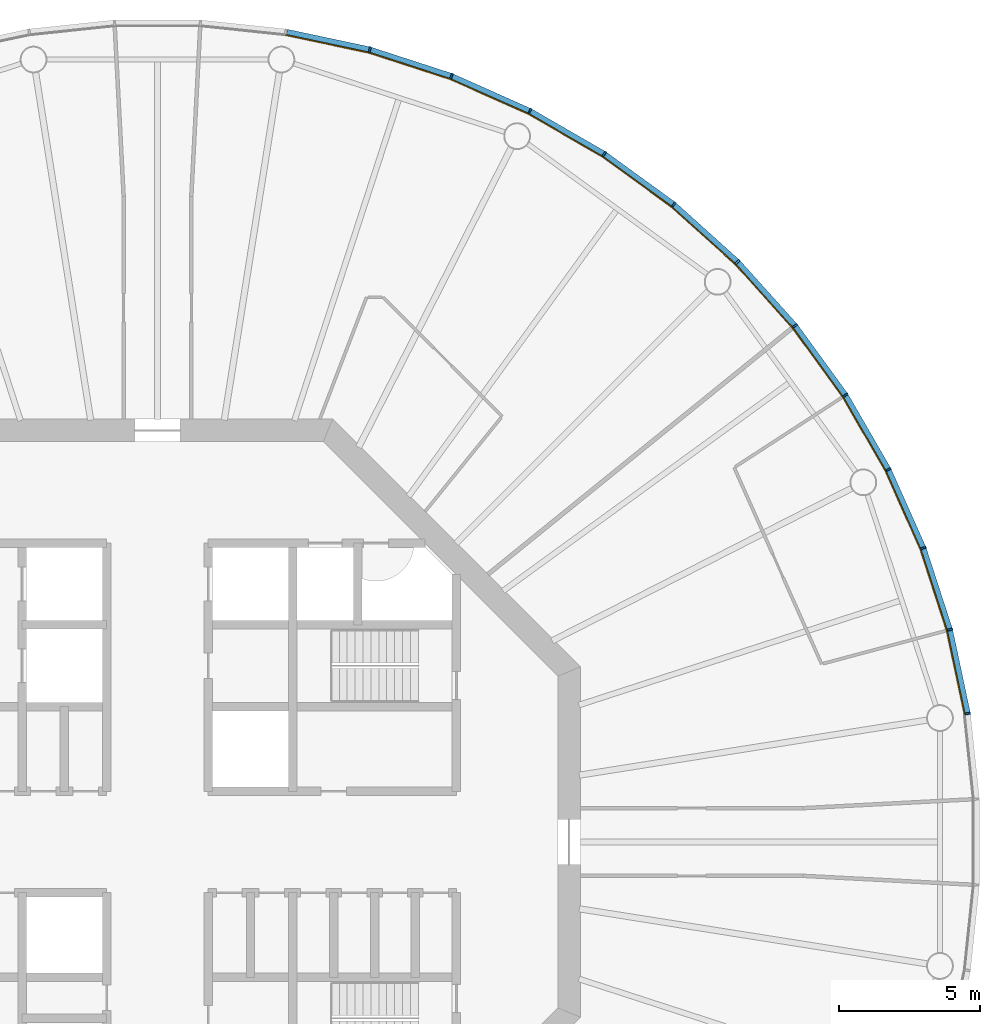
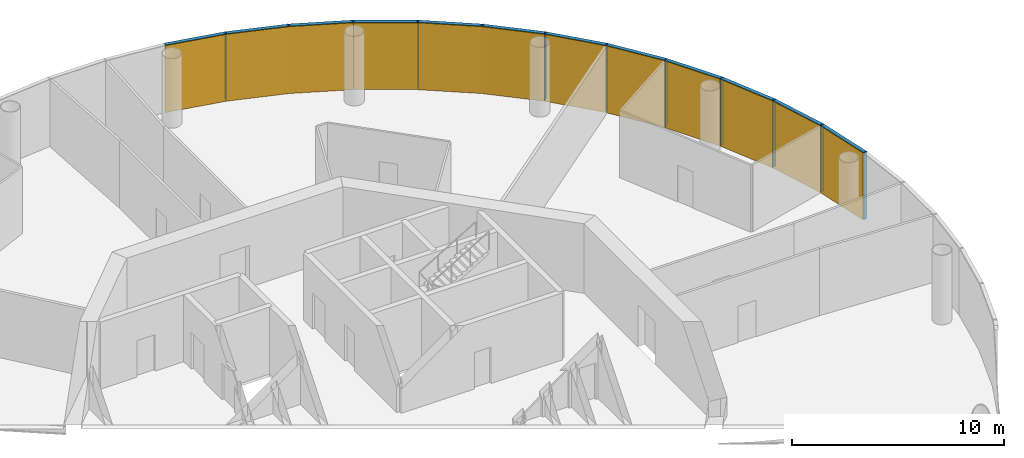
# One storey, part 12 of 13: 24 members, 4 curtain walls.
"""IFC4 building model written with IfcOpenShell, lengths in metres."""

import ifcopenshell
import ifcopenshell.guid

model = None  # the IFC model being written
_history = None  # IfcOwnerHistory: only IFC2X3 demands one
_inside = {}  # id of a spatial element -> (the spatial element, [elements in it])
_under = {}  # id of a project, library or spatial element -> (it, [spatial elements below it])
_declared = {}  # id of a project -> (the project, [libraries it declares])
_typed = {}  # id of a type object -> (the type object, [elements of that type])
_made_of = {}  # id of a material, layer set ... -> (it, [elements and type objects made of it])


def new_model(schema):
    """Start an empty IFC model of exactly this schema.

    Asked for "IFC4X3", IfcOpenShell would pick the latest addendum, in which some entities
    have other attributes; the version numbers below select the first issue.
    IFC2X3 requires an IfcOwnerHistory on every rooted entity: one is made here for all.
    """
    global model, _history
    if schema == "IFC4X3":
        model = ifcopenshell.file(schema_version=(4, 3, 0, 0))
    else:
        model = ifcopenshell.file(schema=schema)
    _inside.clear()
    _under.clear()
    _declared.clear()
    _typed.clear()
    _made_of.clear()
    _history = None
    if model.schema == "IFC2X3":
        org = make("IfcOrganization", Name="unknown")
        user = make(
            "IfcPersonAndOrganization",
            ThePerson=make("IfcPerson", FamilyName="unknown"),
            TheOrganization=org,
        )
        app = make(
            "IfcApplication",
            ApplicationDeveloper=org,
            Version="unknown",
            ApplicationFullName="unknown",
            ApplicationIdentifier="unknown",
        )
        _history = make(
            "IfcOwnerHistory",
            OwningUser=user,
            OwningApplication=app,
            ChangeAction="ADDED",
            CreationDate=0,
        )
    return model


def make(cls, **values):
    """One entity of the class cls with the attributes given. An attribute that is None is left unset."""
    return model.create_entity(
        cls, **{name: value for name, value in values.items() if value is not None}
    )


def rooted(cls, **values):
    """An entity with a GlobalId (a new one), such as an element, a storey or a relation."""
    return make(cls, GlobalId=ifcopenshell.guid.new(), OwnerHistory=_history, **values)


def si_unit(unit_type, name, prefix=None):
    """IfcSIUnit, for example si_unit("LENGTHUNIT", "METRE", prefix="MILLI")."""
    return make("IfcSIUnit", UnitType=unit_type, Prefix=prefix, Name=name)


def assignment(units):
    """IfcUnitAssignment: the units of a project."""
    return None if units is None else make("IfcUnitAssignment", Units=units)


def point(xyz):
    """IfcCartesianPoint."""
    return None if xyz is None else make("IfcCartesianPoint", Coordinates=xyz)


def direction(xyz):
    """IfcDirection."""
    return None if xyz is None else make("IfcDirection", DirectionRatios=xyz)


def frame(location, z_axis=None, x_axis=None):
    """IfcAxis2Placement3D, a coordinate frame: its origin and axes. An axis left out is left unset."""
    return make(
        "IfcAxis2Placement3D",
        Location=point(location),
        Axis=direction(z_axis),
        RefDirection=direction(x_axis),
    )


def frame_2d(location, x_axis=None):
    """IfcAxis2Placement2D, a coordinate frame in the plane: its origin and x axis."""
    return make(
        "IfcAxis2Placement2D", Location=point(location), RefDirection=direction(x_axis)
    )


def origin():
    """The frame at (0, 0, 0) with its axes left unset."""
    return frame((0.0, 0.0, 0.0))


def origin_2d():
    """The frame at (0, 0) in the plane with its x axis left unset."""
    return frame_2d((0.0, 0.0))


def place(relative_to, where):
    """IfcLocalPlacement: puts the frame where relative to a parent placement (None: the world)."""
    return make(
        "IfcLocalPlacement", PlacementRelTo=relative_to, RelativePlacement=where
    )


def context(
    kind, dimensions, precision=None, world=None, true_north=None, identifier=None
):
    """IfcGeometricRepresentationContext, for example the 3D "Model" context."""
    return make(
        "IfcGeometricRepresentationContext",
        ContextIdentifier=identifier,
        ContextType=kind,
        CoordinateSpaceDimension=dimensions,
        Precision=precision,
        WorldCoordinateSystem=world,
        TrueNorth=true_north,
    )


def subcontext(parent, identifier, kind, view, scale=None):
    """IfcGeometricRepresentationSubContext, for example "Body" below "Model"."""
    return make(
        "IfcGeometricRepresentationSubContext",
        ContextIdentifier=identifier,
        ContextType=kind,
        ParentContext=parent,
        TargetScale=scale,
        TargetView=view,
    )


def project(units=None, contexts=None):
    """IfcProject with its units and contexts."""
    return rooted(
        "IfcProject",
        Name="project",
        RepresentationContexts=contexts,
        UnitsInContext=assignment(units),
    )


def spatial(cls, under=None, at=None, **own):
    """A site, building, storey or space (cls), placed at a placement, below another one or the project."""
    s = rooted(cls, ObjectPlacement=at, **own)
    if under is not None:
        _under.setdefault(under.id(), (under, []))[1].append(s)
    return s


def polyline(points):
    """IfcPolyline through the points."""
    return make("IfcPolyline", Points=[point(p) for p in points])


def profile(cls, at=None, kind="AREA", **sizes):
    """A parametric profile (cls). Its sizes go by their IFC names, for example OverallWidth=200.0."""
    return make(cls, ProfileType=kind, Position=at, **sizes)


def rectangle(**sizes):
    """IfcRectangleProfileDef."""
    return profile("IfcRectangleProfileDef", **sizes)


def outline(outer, holes=None, kind="AREA"):
    """IfcArbitraryClosedProfileDef: a profile drawn as a closed curve; with holes, ...WithVoids."""
    if holes is None:
        return make("IfcArbitraryClosedProfileDef", ProfileType=kind, OuterCurve=outer)
    return make(
        "IfcArbitraryProfileDefWithVoids",
        ProfileType=kind,
        OuterCurve=outer,
        InnerCurves=holes,
    )


def extrude(swept, where, along, depth):
    """IfcExtrudedAreaSolid: the profile swept, set in the frame where, extruded along a direction by depth."""
    return make(
        "IfcExtrudedAreaSolid",
        SweptArea=swept,
        Position=where,
        ExtrudedDirection=direction(along),
        Depth=depth,
    )


def shape(context_of_items, identifier, shape_type, items):
    """IfcShapeRepresentation: the items that make up one representation, for example the "Body"."""
    return make(
        "IfcShapeRepresentation",
        ContextOfItems=context_of_items,
        RepresentationIdentifier=identifier,
        RepresentationType=shape_type,
        Items=items,
    )


def material(Name=None, Category=None):
    """IfcMaterial."""
    return make("IfcMaterial", Name=Name, Category=Category)


def layer(
    of_material, thickness, ventilated=None, Name=None, Category=None, Priority=None
):
    """IfcMaterialLayer: one layer of a wall or slab, of a material (None: an air gap)."""
    return make(
        "IfcMaterialLayer",
        Material=of_material,
        LayerThickness=thickness,
        IsVentilated=ventilated,
        Name=Name,
        Category=Category,
        Priority=Priority,
    )


def layer_set(layers, Name=None):
    """IfcMaterialLayerSet."""
    return make("IfcMaterialLayerSet", MaterialLayers=layers, LayerSetName=Name)


def material_profile(
    of_material, cross_section, Name=None, Category=None, Priority=None
):
    """IfcMaterialProfile: a cross section and its material."""
    return make(
        "IfcMaterialProfile",
        Name=Name,
        Material=of_material,
        Profile=cross_section,
        Priority=Priority,
        Category=Category,
    )


def profile_set(profiles, Name=None, composite=None):
    """IfcMaterialProfileSet."""
    return make(
        "IfcMaterialProfileSet",
        Name=Name,
        MaterialProfiles=profiles,
        CompositeProfile=composite,
    )


def made_of(thing, what):
    """Note that an element or type object is made of a material, layer set ...; save() writes the relation."""
    if what is not None:
        _made_of.setdefault(what.id(), (what, []))[1].append(thing)
    return thing


def type_object(cls, material=None, **own):
    """A type object (cls), such as IfcWallType, which elements share."""
    return made_of(rooted(cls, **own), material)


def element(
    cls,
    number,
    at=None,
    inside=None,
    cuts=None,
    type_object=None,
    material=None,
    context=None,
    identifier="Body",
    shape_type=None,
    held_by="IfcProductDefinitionShape",
    body=None,
    shapes=None,
    **own,
):
    """One element of the class cls, such as IfcWall. Its Tag is "e" and its number.

    at: its placement. inside: the storey or other place that contains it. cuts: it is an
    opening in that element (IfcRelVoidsElement). A single representation is given by context,
    identifier, shape_type and body (its items); several are given by shapes. held_by: the class
    of the entity that holds the representations. save() writes the other relations.
    """
    e = rooted(cls, Tag="e%d" % number, ObjectPlacement=at, **own)
    if body is not None:
        shapes = [shape(context, identifier, shape_type, body)]
    if shapes is not None:
        e.Representation = make(held_by, Representations=shapes)
    if inside is not None:
        _inside.setdefault(inside.id(), (inside, []))[1].append(e)
    if cuts is not None:
        rooted(
            "IfcRelVoidsElement", RelatingBuildingElement=cuts, RelatedOpeningElement=e
        )
    if type_object is not None:
        _typed.setdefault(type_object.id(), (type_object, []))[1].append(e)
    return made_of(e, material)


def aggregate(whole, parts):
    """IfcRelAggregates: a whole, such as a stair, and the parts it consists of."""
    return rooted("IfcRelAggregates", RelatingObject=whole, RelatedObjects=parts)


def save(model, path):
    """Write the relations noted so far, then the file.

    IfcRelAggregates (storeys below a building ...), IfcRelContainedInSpatialStructure (elements
    in a storey), IfcRelDefinesByType, IfcRelAssociatesMaterial and IfcRelDeclares: one each for
    every whole, place, type object, material and project.
    """
    for whole, parts in _under.values():
        aggregate(whole, parts)
    for where, things in _inside.values():
        rooted(
            "IfcRelContainedInSpatialStructure",
            RelatedElements=things,
            RelatingStructure=where,
        )
    for kind, things in _typed.values():
        rooted("IfcRelDefinesByType", RelatedObjects=things, RelatingType=kind)
    for what, things in _made_of.values():
        rooted("IfcRelAssociatesMaterial", RelatedObjects=things, RelatingMaterial=what)
    for by, libraries in _declared.values():
        rooted("IfcRelDeclares", RelatingContext=by, RelatedDefinitions=libraries)
    model.write(path)


model = new_model("IFC4")

# Units and contexts
model_context = context("Model", 3, precision=1e-05, world=origin(), true_north=direction((0.0, 1.0)))
body_context = subcontext(model_context, "Body", "Model", "MODEL_VIEW")
ifc_project = project(units=[si_unit("LENGTHUNIT", "METRE"), si_unit("AREAUNIT", "SQUARE_METRE"), si_unit("VOLUMEUNIT", "CUBIC_METRE"), si_unit("PLANEANGLEUNIT", "RADIAN"), si_unit("MASSUNIT", "GRAM", prefix="KILO")], contexts=[model_context])

# Member
ifc_material_1 = material(Name="Anodised aluminium", Category="aluminium")
ifc_material_profile_1 = material_profile(ifc_material_1, rectangle(XDim=0.06494140625, YDim=0.195068359375, at=origin_2d()), Name="Mullion 65 x 195 mm anodised aluminium")
ifc_profile_set_1 = profile_set([ifc_material_profile_1], Name="Anodised aluminium")
member_type_1 = type_object("IfcMemberType", Name="Mullion 65 x 195 mm anodised aluminium", PredefinedType="MULLION", material=ifc_profile_set_1)
site_placement = place(None, origin())
building_placement = place(site_placement, origin())
storey_placement = place(building_placement, frame((0.0, 0.0, 314.0)))
member_1_placement = place(storey_placement, frame((118.7392578125, 84.5517578125, 0.0), z_axis=(0.0, 0.0, 1.0), x_axis=(-0.15643446504, 0.987688340595, 0.0)))
member_1 = element("IfcMember", 1, at=member_1_placement, type_object=member_type_1, Name="MULLION L72-00", PredefinedType="MULLION", context=body_context, shape_type="SweptSolid", body=[
    extrude(rectangle(XDim=0.06494140625, YDim=0.195068359375, at=origin_2d()), origin(), (0.0, 0.0, 1.0), 3.85009765625),
])

member_2_placement = place(storey_placement, frame((118.10595703125, 87.531005859375, 0.0), z_axis=(0.0, 0.0, 1.0), x_axis=(-0.258819045103, 0.965925826289, 0.0)))
member_2 = element("IfcMember", 2, at=member_2_placement, type_object=member_type_1, Name="MULLION L72-01", PredefinedType="MULLION", context=body_context, shape_type="SweptSolid", body=[
    extrude(rectangle(XDim=0.06494140625, YDim=0.195068359375, at=origin_2d()), origin(), (0.0, 0.0, 1.0), 3.85009765625),
])

member_3_placement = place(storey_placement, frame((117.164794921875, 90.427490234375, 0.0), z_axis=(0.0, 0.0, 1.0), x_axis=(-0.358367949545, 0.933580426497, 0.0)))
member_3 = element("IfcMember", 3, at=member_3_placement, type_object=member_type_1, Name="MULLION L72-02", PredefinedType="MULLION", context=body_context, shape_type="SweptSolid", body=[
    extrude(rectangle(XDim=0.06494140625, YDim=0.195068359375, at=origin_2d()), origin(), (0.0, 0.0, 1.0), 3.85009765625),
])

member_4_placement = place(storey_placement, frame((115.926025390625, 93.2099609375, 0.0), z_axis=(0.0, 0.0, 1.0), x_axis=(-0.45399049974, 0.891006524188, 0.0)))
member_4 = element("IfcMember", 4, at=member_4_placement, type_object=member_type_1, Name="MULLION L72-03", PredefinedType="MULLION", context=body_context, shape_type="SweptSolid", body=[
    extrude(rectangle(XDim=0.06494140625, YDim=0.195068359375, at=origin_2d()), origin(), (0.0, 0.0, 1.0), 3.85009765625),
])

member_5_placement = place(storey_placement, frame((114.4033203125, 95.84765625, 0.0), z_axis=(0.0, 0.0, 1.0), x_axis=(-0.544639035015, 0.838670567945, 0.0)))
member_5 = element("IfcMember", 5, at=member_5_placement, type_object=member_type_1, Name="MULLION L72-04", PredefinedType="MULLION", context=body_context, shape_type="SweptSolid", body=[
    extrude(rectangle(XDim=0.06494140625, YDim=0.195068359375, at=origin_2d()), origin(), (0.0, 0.0, 1.0), 3.85009765625),
])

member_6_placement = place(storey_placement, frame((112.613037109375, 98.311767578125, 0.0), z_axis=(0.0, 0.0, 1.0), x_axis=(-0.62932039105, 0.777145961457, 0.0)))
member_6 = element("IfcMember", 6, at=member_6_placement, type_object=member_type_1, Name="MULLION L72-05", PredefinedType="MULLION", context=body_context, shape_type="SweptSolid", body=[
    extrude(rectangle(XDim=0.06494140625, YDim=0.195068359375, at=origin_2d()), origin(), (0.0, 0.0, 1.0), 3.85009765625),
])

member_7_placement = place(storey_placement, frame((110.574951171875, 100.574951171875, 0.0), z_axis=(0.0, 0.0, 1.0), x_axis=(-0.707106781187, 0.707106781187, 0.0)))
member_7 = element("IfcMember", 7, at=member_7_placement, type_object=member_type_1, Name="MULLION L72-06", PredefinedType="MULLION", context=body_context, shape_type="SweptSolid", body=[
    extrude(rectangle(XDim=0.06494140625, YDim=0.195068359375, at=origin_2d()), origin(), (0.0, 0.0, 1.0), 3.85009765625),
])

member_8_placement = place(storey_placement, frame((108.311767578125, 102.613037109375, 0.0), z_axis=(0.0, 0.0, 1.0), x_axis=(-0.777145961457, 0.62932039105, 0.0)))
member_8 = element("IfcMember", 8, at=member_8_placement, type_object=member_type_1, Name="MULLION L72-07", PredefinedType="MULLION", context=body_context, shape_type="SweptSolid", body=[
    extrude(rectangle(XDim=0.06494140625, YDim=0.195068359375, at=origin_2d()), origin(), (0.0, 0.0, 1.0), 3.85009765625),
])

member_9_placement = place(storey_placement, frame((105.84765625, 104.4033203125, 0.0), z_axis=(0.0, 0.0, 1.0), x_axis=(-0.838670567945, 0.544639035015, 0.0)))
member_9 = element("IfcMember", 9, at=member_9_placement, type_object=member_type_1, Name="MULLION L72-08", PredefinedType="MULLION", context=body_context, shape_type="SweptSolid", body=[
    extrude(rectangle(XDim=0.06494140625, YDim=0.195068359375, at=origin_2d()), origin(), (0.0, 0.0, 1.0), 3.85009765625),
])

member_10_placement = place(storey_placement, frame((103.2099609375, 105.926025390625, 0.0), z_axis=(0.0, 0.0, 1.0), x_axis=(-0.891006524188, 0.45399049974, 0.0)))
member_10 = element("IfcMember", 10, at=member_10_placement, type_object=member_type_1, Name="MULLION L72-09", PredefinedType="MULLION", context=body_context, shape_type="SweptSolid", body=[
    extrude(rectangle(XDim=0.06494140625, YDim=0.195068359375, at=origin_2d()), origin(), (0.0, 0.0, 1.0), 3.85009765625),
])

member_11_placement = place(storey_placement, frame((100.427490234375, 107.164794921875, 0.0), z_axis=(0.0, 0.0, 1.0), x_axis=(-0.933580426497, 0.358367949545, 0.0)))
member_11 = element("IfcMember", 11, at=member_11_placement, type_object=member_type_1, Name="MULLION L72-10", PredefinedType="MULLION", context=body_context, shape_type="SweptSolid", body=[
    extrude(rectangle(XDim=0.06494140625, YDim=0.195068359375, at=origin_2d()), origin(), (0.0, 0.0, 1.0), 3.85009765625),
])

member_12_placement = place(storey_placement, frame((97.531005859375, 108.10595703125, 0.0), z_axis=(0.0, 0.0, 1.0), x_axis=(-0.965925826289, 0.258819045103, 0.0)))
member_12 = element("IfcMember", 12, at=member_12_placement, type_object=member_type_1, Name="MULLION L72-11", PredefinedType="MULLION", context=body_context, shape_type="SweptSolid", body=[
    extrude(rectangle(XDim=0.06494140625, YDim=0.195068359375, at=origin_2d()), origin(), (0.0, 0.0, 1.0), 3.85009765625),
])

ifc_material_2 = material(Name="Anodised aluminium", Category="aluminium")
ifc_material_profile_2 = material_profile(ifc_material_2, rectangle(XDim=0.195068359375, YDim=0.179931640625, at=origin_2d()), Name="Transom 180 x 195 mm anodised aluminium")
ifc_profile_set_2 = profile_set([ifc_material_profile_2], Name="Anodised aluminium")
member_type_2 = type_object("IfcMemberType", Name="Transom 180 x 195 mm anodised aluminium", PredefinedType="USERDEFINED", material=ifc_profile_set_2)
member_13_placement = place(storey_placement, frame((118.731689453125, 84.588623046875, 3.760009765625), z_axis=(-0.207940342877, 0.978141510112, 0.0), x_axis=(-0.978141510112, -0.207940342877, 0.0)))
member_13 = element("IfcMember", 13, at=member_13_placement, type_object=member_type_2, Name="TRANSOM L72-00", ObjectType="TRANSOM", PredefinedType="USERDEFINED", context=body_context, shape_type="SweptSolid", body=[
    extrude(rectangle(XDim=0.195068359375, YDim=0.179931640625, at=origin_2d()), origin(), (0.0, 0.0, 1.0), 2.970458984375),
])

member_14_placement = place(storey_placement, frame((118.094482421875, 87.56689453125, 3.760009765625), z_axis=(-0.309043326415, 0.951047960094, 0.0), x_axis=(-0.951047960094, -0.309043326415, 0.0)))
member_14 = element("IfcMember", 14, at=member_14_placement, type_object=member_type_2, Name="TRANSOM L72-01", ObjectType="TRANSOM", PredefinedType="USERDEFINED", context=body_context, shape_type="SweptSolid", body=[
    extrude(rectangle(XDim=0.195068359375, YDim=0.179931640625, at=origin_2d()), origin(), (0.0, 0.0, 1.0), 2.970458984375),
])

member_15_placement = place(storey_placement, frame((117.149658203125, 90.4619140625, 3.760009765625), z_axis=(-0.406725527369, 0.913550406593, 0.0), x_axis=(-0.913550406593, -0.406725527369, 0.0)))
member_15 = element("IfcMember", 15, at=member_15_placement, type_object=member_type_2, Name="TRANSOM L72-02", ObjectType="TRANSOM", PredefinedType="USERDEFINED", context=body_context, shape_type="SweptSolid", body=[
    extrude(rectangle(XDim=0.195068359375, YDim=0.179931640625, at=origin_2d()), origin(), (0.0, 0.0, 1.0), 2.970703125),
])

member_16_placement = place(storey_placement, frame((115.907470703125, 93.24267578125, 3.760009765625), z_axis=(-0.500028367561, 0.866009025146, 0.0), x_axis=(-0.866009025146, -0.500028367561, 0.0)))
member_16 = element("IfcMember", 16, at=member_16_placement, type_object=member_type_2, Name="TRANSOM L72-03", ObjectType="TRANSOM", PredefinedType="USERDEFINED", context=body_context, shape_type="SweptSolid", body=[
    extrude(rectangle(XDim=0.195068359375, YDim=0.179931640625, at=origin_2d()), origin(), (0.0, 0.0, 1.0), 2.970458984375),
])

member_17_placement = place(storey_placement, frame((114.381103515625, 95.878173828125, 3.760009765625), z_axis=(-0.587765987476, 0.809030990733, 0.0), x_axis=(-0.809030990733, -0.587765987476, 0.0)))
member_17 = element("IfcMember", 17, at=member_17_placement, type_object=member_type_2, Name="TRANSOM L72-04", ObjectType="TRANSOM", PredefinedType="USERDEFINED", context=body_context, shape_type="SweptSolid", body=[
    extrude(rectangle(XDim=0.195068359375, YDim=0.179931640625, at=origin_2d()), origin(), (0.0, 0.0, 1.0), 2.97021484375),
])

member_18_placement = place(storey_placement, frame((112.587890625, 98.339599609375, 3.760009765625), z_axis=(-0.669110027395, 0.743163354343, 0.0), x_axis=(-0.743163354343, -0.669110027395, 0.0)))
member_18 = element("IfcMember", 18, at=member_18_placement, type_object=member_type_2, Name="TRANSOM L72-05", ObjectType="TRANSOM", PredefinedType="USERDEFINED", context=body_context, shape_type="SweptSolid", body=[
    extrude(rectangle(XDim=0.195068359375, YDim=0.179931640625, at=origin_2d()), origin(), (0.0, 0.0, 1.0), 2.970458984375),
])

member_19_placement = place(storey_placement, frame((110.547119140625, 100.600341796875, 3.760009765625), z_axis=(-0.743163354343, 0.669110027395, 0.0), x_axis=(-0.669110027395, -0.743163354343, 0.0)))
member_19 = element("IfcMember", 19, at=member_19_placement, type_object=member_type_2, Name="TRANSOM L72-06", ObjectType="TRANSOM", PredefinedType="USERDEFINED", context=body_context, shape_type="SweptSolid", body=[
    extrude(rectangle(XDim=0.195068359375, YDim=0.179931640625, at=origin_2d()), origin(), (0.0, 0.0, 1.0), 2.970458984375),
])

member_20_placement = place(storey_placement, frame((108.28125, 102.63525390625, 3.760009765625), z_axis=(-0.809030990733, 0.587765987476, 0.0), x_axis=(-0.587765987476, -0.809030990733, 0.0)))
member_20 = element("IfcMember", 20, at=member_20_placement, type_object=member_type_2, Name="TRANSOM L72-07", ObjectType="TRANSOM", PredefinedType="USERDEFINED", context=body_context, shape_type="SweptSolid", body=[
    extrude(rectangle(XDim=0.195068359375, YDim=0.179931640625, at=origin_2d()), origin(), (0.0, 0.0, 1.0), 2.97021484375),
])

member_21_placement = place(storey_placement, frame((105.815185546875, 104.422119140625, 3.760009765625), z_axis=(-0.866009025146, 0.500028367561, 0.0), x_axis=(-0.500028367561, -0.866009025146, 0.0)))
member_21 = element("IfcMember", 21, at=member_21_placement, type_object=member_type_2, Name="TRANSOM L72-08", ObjectType="TRANSOM", PredefinedType="USERDEFINED", context=body_context, shape_type="SweptSolid", body=[
    extrude(rectangle(XDim=0.195068359375, YDim=0.179931640625, at=origin_2d()), origin(), (0.0, 0.0, 1.0), 2.970458984375),
])

member_22_placement = place(storey_placement, frame((103.17578125, 105.94140625, 3.760009765625), z_axis=(-0.913550406593, 0.406725527369, 0.0), x_axis=(-0.406725527369, -0.913550406593, 0.0)))
member_22 = element("IfcMember", 22, at=member_22_placement, type_object=member_type_2, Name="TRANSOM L72-09", ObjectType="TRANSOM", PredefinedType="USERDEFINED", context=body_context, shape_type="SweptSolid", body=[
    extrude(rectangle(XDim=0.195068359375, YDim=0.179931640625, at=origin_2d()), origin(), (0.0, 0.0, 1.0), 2.970703125),
])

member_23_placement = place(storey_placement, frame((100.391845703125, 107.176513671875, 3.760009765625), z_axis=(-0.951047960094, 0.309043326415, 0.0), x_axis=(-0.309043326415, -0.951047960094, 0.0)))
member_23 = element("IfcMember", 23, at=member_23_placement, type_object=member_type_2, Name="TRANSOM L72-10", ObjectType="TRANSOM", PredefinedType="USERDEFINED", context=body_context, shape_type="SweptSolid", body=[
    extrude(rectangle(XDim=0.195068359375, YDim=0.179931640625, at=origin_2d()), origin(), (0.0, 0.0, 1.0), 2.970458984375),
])

member_24_placement = place(storey_placement, frame((97.494140625, 108.114013671875, 3.760009765625), z_axis=(-0.978141510112, 0.207940342877, 0.0), x_axis=(-0.207940342877, -0.978141510112, 0.0)))
member_24 = element("IfcMember", 24, at=member_24_placement, type_object=member_type_2, Name="TRANSOM L72-11", ObjectType="TRANSOM", PredefinedType="USERDEFINED", context=body_context, shape_type="SweptSolid", body=[
    extrude(rectangle(XDim=0.195068359375, YDim=0.179931640625, at=origin_2d()), origin(), (0.0, 0.0, 1.0), 2.970458984375),
])

# Site, building, storey
site = spatial("IfcSite", under=ifc_project, at=site_placement, CompositionType="ELEMENT")
building = spatial("IfcBuilding", under=site, at=building_placement, Name="Entoto Ring Tower", CompositionType="ELEMENT")
storey = spatial("IfcBuildingStorey", under=building, at=storey_placement, Name="L72", CompositionType="ELEMENT", Elevation=314.0)

# Curtain wall
ifc_material_3 = material(Name="Clear low-iron glass", Category="glass")
ifc_layer = layer(ifc_material_3, 0.033935546875)
ifc_layer_set = layer_set([ifc_layer], Name="Clear low-iron glass")
curtain_wall_type = type_object("IfcCurtainWallType", Name="Curtain wall system CW5 glazing 34 mm", PredefinedType="NOTDEFINED", material=ifc_layer_set)
curtain_wall_1_placement = place(storey_placement, origin())
curtain_wall_1 = element("IfcCurtainWall", 25, at=curtain_wall_1_placement, inside=storey, type_object=curtain_wall_type, Name="CW5 L72-01", PredefinedType="NOTDEFINED", context=body_context, shape_type="SweptSolid", body=[
    extrude(outline(polyline([(118.64306640625, 84.53662109375), (118.011962890625, 87.505859375), (117.07373046875, 90.392578125), (115.839111328125, 93.165771484375), (115.808837890625, 93.150146484375), (117.0419921875, 90.38037109375), (117.97900390625, 87.496826171875), (118.609375, 84.53125), (118.64306640625, 84.53662109375)])), origin(), (0.0, 0.0, 1.0), 3.85009765625),
])

aggregate(curtain_wall_1, [member_1, member_2, member_3, member_13, member_14, member_15])

curtain_wall_2_placement = place(storey_placement, origin())
curtain_wall_2 = element("IfcCurtainWall", 26, at=curtain_wall_2_placement, inside=storey, type_object=curtain_wall_type, Name="CW5 L72-02", PredefinedType="NOTDEFINED", context=body_context, shape_type="SweptSolid", body=[
    extrude(outline(polyline([(115.839111328125, 93.165771484375), (114.321533203125, 95.79443359375), (112.537353515625, 98.250244140625), (110.506103515625, 100.506103515625), (110.48193359375, 100.48193359375), (112.5107421875, 98.228759765625), (114.29296875, 95.77587890625), (115.808837890625, 93.150146484375), (115.839111328125, 93.165771484375)])), origin(), (0.0, 0.0, 1.0), 3.85009765625),
])

aggregate(curtain_wall_2, [member_4, member_5, member_6, member_16, member_17, member_18])

curtain_wall_3_placement = place(storey_placement, origin())
curtain_wall_3 = element("IfcCurtainWall", 27, at=curtain_wall_3_placement, inside=storey, type_object=curtain_wall_type, Name="CW5 L72-03", PredefinedType="NOTDEFINED", context=body_context, shape_type="SweptSolid", body=[
    extrude(outline(polyline([(110.506103515625, 100.506103515625), (108.250244140625, 102.537353515625), (105.79443359375, 104.321533203125), (103.165771484375, 105.839111328125), (103.150146484375, 105.808837890625), (105.77587890625, 104.29296875), (108.228759765625, 102.5107421875), (110.48193359375, 100.48193359375), (110.506103515625, 100.506103515625)])), origin(), (0.0, 0.0, 1.0), 3.85009765625),
])

aggregate(curtain_wall_3, [member_7, member_8, member_9, member_19, member_20, member_21])

curtain_wall_4_placement = place(storey_placement, origin())
curtain_wall_4 = element("IfcCurtainWall", 28, at=curtain_wall_4_placement, inside=storey, type_object=curtain_wall_type, Name="CW5 L72-04", PredefinedType="NOTDEFINED", context=body_context, shape_type="SweptSolid", body=[
    extrude(outline(polyline([(103.165771484375, 105.839111328125), (100.392578125, 107.07373046875), (97.505859375, 108.011962890625), (94.53662109375, 108.64306640625), (94.53125, 108.609375), (97.496826171875, 107.97900390625), (100.38037109375, 107.0419921875), (103.150146484375, 105.808837890625), (103.165771484375, 105.839111328125)])), origin(), (0.0, 0.0, 1.0), 3.85009765625),
])

aggregate(curtain_wall_4, [member_10, member_11, member_12, member_22, member_23, member_24])

save(model, "model.ifc")
